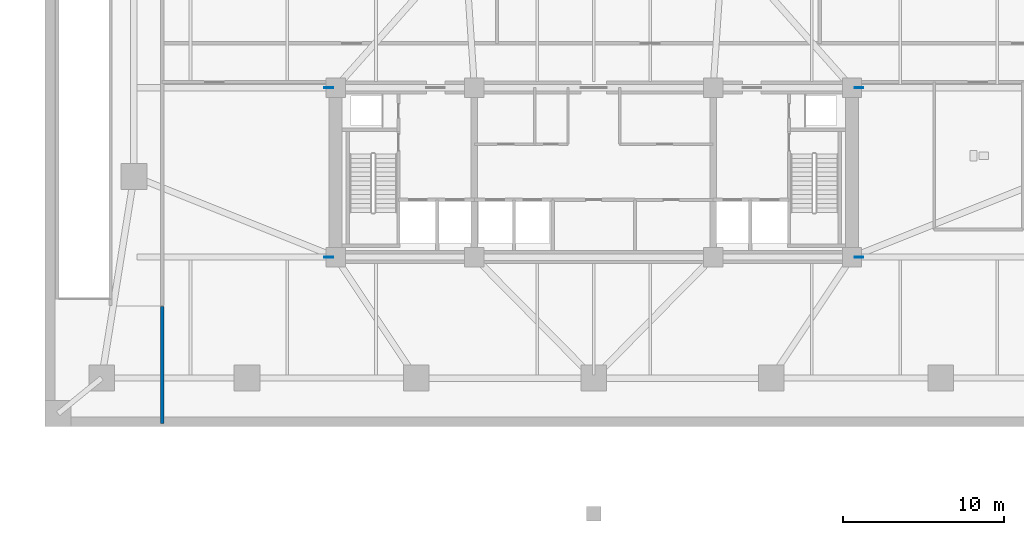
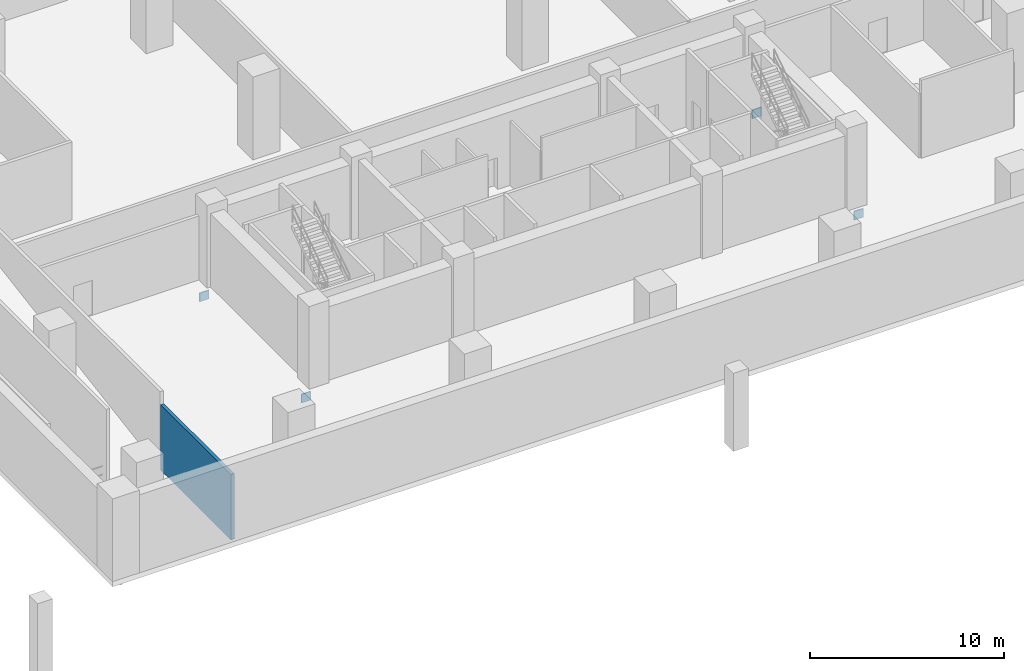
# One storey, part 3 of 9: 4 plates, 1 wall.
"""IFC4 building model written with IfcOpenShell, lengths in metres."""

from ifc_helpers import new_model, si_unit, direction, frame, frame_2d, origin, origin_2d, place, context, subcontext, project, spatial, rectangle, extrude, material, layer, layer_set, type_object, element, save


model = new_model("IFC4")

# Units and contexts
model_context = context("Model", 3, precision=1e-05, world=origin(), true_north=direction((0.0, 1.0)))
body_context = subcontext(model_context, "Body", "Model", "MODEL_VIEW")
ifc_project = project(units=[si_unit("LENGTHUNIT", "METRE"), si_unit("AREAUNIT", "SQUARE_METRE"), si_unit("VOLUMEUNIT", "CUBIC_METRE"), si_unit("PLANEANGLEUNIT", "RADIAN"), si_unit("MASSUNIT", "GRAM", prefix="KILO")], contexts=[model_context])

# Site, building, storey
site_placement = place(None, origin())
site = spatial("IfcSite", under=ifc_project, at=site_placement, CompositionType="ELEMENT")
building_placement = place(site_placement, origin())
building = spatial("IfcBuilding", under=site, at=building_placement, Name="Solmavex Isthmus Hotel", CompositionType="ELEMENT")
storey_placement = place(building_placement, frame((0.0, 0.0, -5.199951171875)))
storey = spatial("IfcBuildingStorey", under=building, at=storey_placement, Name="B01", CompositionType="ELEMENT", Elevation=-5.199951171875)

# Plates
ifc_material_1 = material(Name="Steel ASTM A572 Grade 50", Category="steel")
ifc_layer_1 = layer(ifc_material_1, 0.06005859375)
ifc_layer_set_1 = layer_set([ifc_layer_1], Name="Steel ASTM A572 Grade 50")
plate_type = type_object("IfcPlateType", Name="PLT-EMBED-60", PredefinedType="USERDEFINED", material=ifc_layer_set_1)
for number, where, z_axis, x_axis, name in (
    (1, (-16.43603515625, -2.5, -1.17529296875), (0.0, 0.0, 1.0), (1.0, 0.0, 0.0), "Outrigger Strut Core Cast-In Embedment Stiffener Plate 001"),
    (2, (16.43603515625, -2.5, -1.17529296875), (0.0, 0.0, 1.0), (1.0, 0.0, 0.0), "Outrigger Strut Core Cast-In Embedment Stiffener Plate 002"),
    (3, (-16.43603515625, -13.0, -1.17529296875), (0.0, 0.0, 1.0), (1.0, 0.0, 0.0), "Outrigger Strut Core Cast-In Embedment Stiffener Plate 003"),
    (4, (16.43603515625, -13.0, -1.17529296875), (0.0, 0.0, 1.0), (1.0, 0.0, 0.0), "Outrigger Strut Core Cast-In Embedment Stiffener Plate 004"),
):
    element("IfcPlate", number, at=place(storey_placement, frame(where, z_axis=z_axis, x_axis=x_axis)), inside=storey, type_object=plate_type, Name=name, ObjectType="STIFFENER_PLATE", PredefinedType="USERDEFINED", context=body_context, shape_type="SweptSolid", body=[
        extrude(rectangle(XDim=0.550048828125, YDim=0.06005859375, at=origin_2d()), origin(), (0.0, 0.0, 1.0), 0.550048828125),
    ])

# Wall
ifc_material_2 = material(Name="Concrete C40/50", Category="concrete")
ifc_layer_2 = layer(ifc_material_2, 0.199951171875)
ifc_layer_set_2 = layer_set([ifc_layer_2], Name="Concrete C40/50")
wall_type = type_object("IfcWallType", Name="IW-SHAFT-200", PredefinedType="PARTITIONING", material=ifc_layer_set_2)
wall_placement = place(storey_placement, frame((-26.75, -23.300048828125, 0.0), z_axis=(0.0, 0.0, 1.0), x_axis=(0.0, 1.0, 0.0)))
element("IfcWall", 5, at=wall_placement, inside=storey, type_object=wall_type, Name="Interior Partition Wall W-B01-SW", PredefinedType="PARTITIONING", context=body_context, shape_type="SweptSolid", body=[
    extrude(rectangle(XDim=7.25, YDim=0.199951171875, at=frame_2d((3.625, 0.0))), origin(), (0.0, 0.0, 1.0), 4.11181640625),
])

save(model, "model.ifc")
